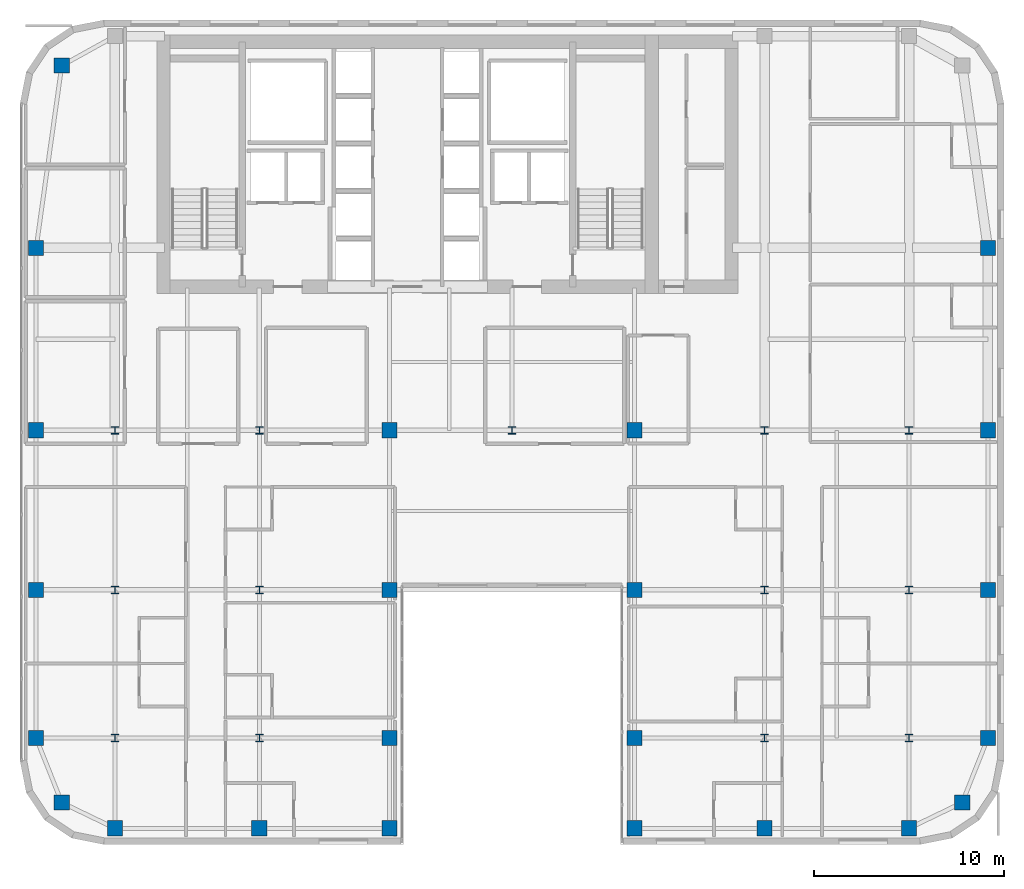
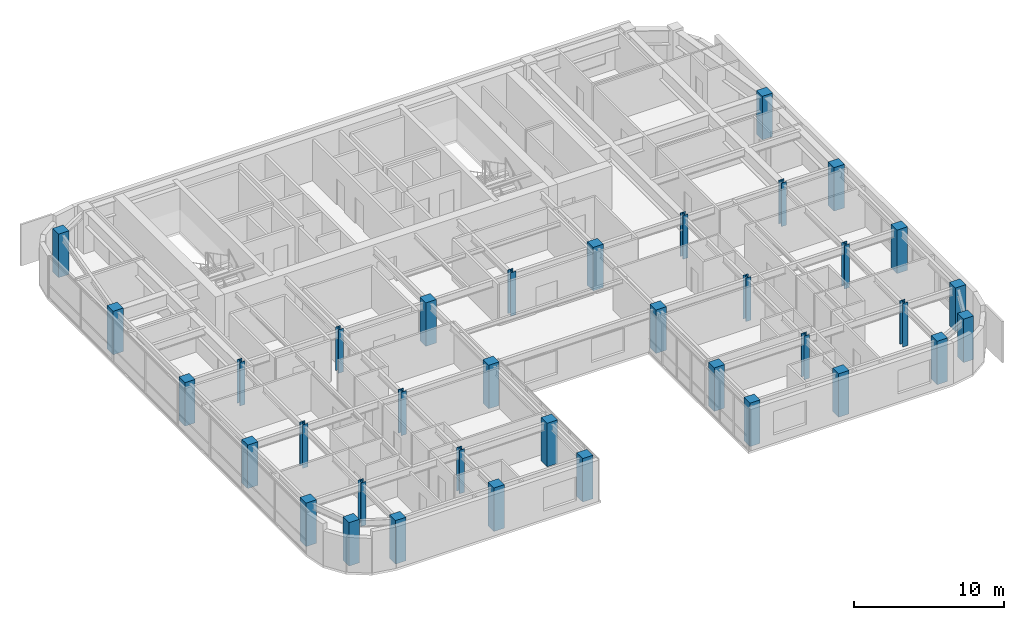
# One storey, part 1 of 24: 36 columns.
"""IFC4 building model written with IfcOpenShell, lengths in metres."""

import ifcopenshell
import ifcopenshell.guid

model = None  # the IFC model being written
_history = None  # IfcOwnerHistory: only IFC2X3 demands one
_inside = {}  # id of a spatial element -> (the spatial element, [elements in it])
_under = {}  # id of a project, library or spatial element -> (it, [spatial elements below it])
_declared = {}  # id of a project -> (the project, [libraries it declares])
_typed = {}  # id of a type object -> (the type object, [elements of that type])
_made_of = {}  # id of a material, layer set ... -> (it, [elements and type objects made of it])


def new_model(schema):
    """Start an empty IFC model of exactly this schema.

    Asked for "IFC4X3", IfcOpenShell would pick the latest addendum, in which some entities
    have other attributes; the version numbers below select the first issue.
    IFC2X3 requires an IfcOwnerHistory on every rooted entity: one is made here for all.
    """
    global model, _history
    if schema == "IFC4X3":
        model = ifcopenshell.file(schema_version=(4, 3, 0, 0))
    else:
        model = ifcopenshell.file(schema=schema)
    _inside.clear()
    _under.clear()
    _declared.clear()
    _typed.clear()
    _made_of.clear()
    _history = None
    if model.schema == "IFC2X3":
        org = make("IfcOrganization", Name="unknown")
        user = make(
            "IfcPersonAndOrganization",
            ThePerson=make("IfcPerson", FamilyName="unknown"),
            TheOrganization=org,
        )
        app = make(
            "IfcApplication",
            ApplicationDeveloper=org,
            Version="unknown",
            ApplicationFullName="unknown",
            ApplicationIdentifier="unknown",
        )
        _history = make(
            "IfcOwnerHistory",
            OwningUser=user,
            OwningApplication=app,
            ChangeAction="ADDED",
            CreationDate=0,
        )
    return model


def make(cls, **values):
    """One entity of the class cls with the attributes given. An attribute that is None is left unset."""
    return model.create_entity(
        cls, **{name: value for name, value in values.items() if value is not None}
    )


def rooted(cls, **values):
    """An entity with a GlobalId (a new one), such as an element, a storey or a relation."""
    return make(cls, GlobalId=ifcopenshell.guid.new(), OwnerHistory=_history, **values)


def si_unit(unit_type, name, prefix=None):
    """IfcSIUnit, for example si_unit("LENGTHUNIT", "METRE", prefix="MILLI")."""
    return make("IfcSIUnit", UnitType=unit_type, Prefix=prefix, Name=name)


def assignment(units):
    """IfcUnitAssignment: the units of a project."""
    return None if units is None else make("IfcUnitAssignment", Units=units)


def point(xyz):
    """IfcCartesianPoint."""
    return None if xyz is None else make("IfcCartesianPoint", Coordinates=xyz)


def direction(xyz):
    """IfcDirection."""
    return None if xyz is None else make("IfcDirection", DirectionRatios=xyz)


def frame(location, z_axis=None, x_axis=None):
    """IfcAxis2Placement3D, a coordinate frame: its origin and axes. An axis left out is left unset."""
    return make(
        "IfcAxis2Placement3D",
        Location=point(location),
        Axis=direction(z_axis),
        RefDirection=direction(x_axis),
    )


def frame_2d(location, x_axis=None):
    """IfcAxis2Placement2D, a coordinate frame in the plane: its origin and x axis."""
    return make(
        "IfcAxis2Placement2D", Location=point(location), RefDirection=direction(x_axis)
    )


def origin():
    """The frame at (0, 0, 0) with its axes left unset."""
    return frame((0.0, 0.0, 0.0))


def origin_2d():
    """The frame at (0, 0) in the plane with its x axis left unset."""
    return frame_2d((0.0, 0.0))


def place(relative_to, where):
    """IfcLocalPlacement: puts the frame where relative to a parent placement (None: the world)."""
    return make(
        "IfcLocalPlacement", PlacementRelTo=relative_to, RelativePlacement=where
    )


def context(
    kind, dimensions, precision=None, world=None, true_north=None, identifier=None
):
    """IfcGeometricRepresentationContext, for example the 3D "Model" context."""
    return make(
        "IfcGeometricRepresentationContext",
        ContextIdentifier=identifier,
        ContextType=kind,
        CoordinateSpaceDimension=dimensions,
        Precision=precision,
        WorldCoordinateSystem=world,
        TrueNorth=true_north,
    )


def subcontext(parent, identifier, kind, view, scale=None):
    """IfcGeometricRepresentationSubContext, for example "Body" below "Model"."""
    return make(
        "IfcGeometricRepresentationSubContext",
        ContextIdentifier=identifier,
        ContextType=kind,
        ParentContext=parent,
        TargetScale=scale,
        TargetView=view,
    )


def project(units=None, contexts=None):
    """IfcProject with its units and contexts."""
    return rooted(
        "IfcProject",
        Name="project",
        RepresentationContexts=contexts,
        UnitsInContext=assignment(units),
    )


def spatial(cls, under=None, at=None, **own):
    """A site, building, storey or space (cls), placed at a placement, below another one or the project."""
    s = rooted(cls, ObjectPlacement=at, **own)
    if under is not None:
        _under.setdefault(under.id(), (under, []))[1].append(s)
    return s


def profile(cls, at=None, kind="AREA", **sizes):
    """A parametric profile (cls). Its sizes go by their IFC names, for example OverallWidth=200.0."""
    return make(cls, ProfileType=kind, Position=at, **sizes)


def rectangle(**sizes):
    """IfcRectangleProfileDef."""
    return profile("IfcRectangleProfileDef", **sizes)


def i_section(**sizes):
    """IfcIShapeProfileDef."""
    return profile("IfcIShapeProfileDef", **sizes)


def extrude(swept, where, along, depth):
    """IfcExtrudedAreaSolid: the profile swept, set in the frame where, extruded along a direction by depth."""
    return make(
        "IfcExtrudedAreaSolid",
        SweptArea=swept,
        Position=where,
        ExtrudedDirection=direction(along),
        Depth=depth,
    )


def shape(context_of_items, identifier, shape_type, items):
    """IfcShapeRepresentation: the items that make up one representation, for example the "Body"."""
    return make(
        "IfcShapeRepresentation",
        ContextOfItems=context_of_items,
        RepresentationIdentifier=identifier,
        RepresentationType=shape_type,
        Items=items,
    )


def source(mapping_origin, context_of_items, identifier, shape_type, items):
    """IfcRepresentationMap: a shape defined once, which mapped items show again and again."""
    return make(
        "IfcRepresentationMap",
        MappingOrigin=mapping_origin,
        MappedRepresentation=shape(context_of_items, identifier, shape_type, items),
    )


def transform(
    local_origin,
    x_axis=None,
    y_axis=None,
    z_axis=None,
    scale=None,
    scale2=None,
    scale3=None,
    uniform=True,
):
    """IfcCartesianTransformationOperator3D, or its non-uniform kind. x_axis, y_axis, z_axis: its Axis1, 2, 3."""
    if uniform:
        return make(
            "IfcCartesianTransformationOperator3D",
            Axis1=direction(x_axis),
            Axis2=direction(y_axis),
            LocalOrigin=point(local_origin),
            Scale=scale,
            Axis3=direction(z_axis),
        )
    return make(
        "IfcCartesianTransformationOperator3DnonUniform",
        Axis1=direction(x_axis),
        Axis2=direction(y_axis),
        LocalOrigin=point(local_origin),
        Scale=scale,
        Axis3=direction(z_axis),
        Scale2=scale2,
        Scale3=scale3,
    )


def mapped(mapping_source, mapping_target):
    """IfcMappedItem: shows the shape of a source again, moved by a transform."""
    return make(
        "IfcMappedItem", MappingSource=mapping_source, MappingTarget=mapping_target
    )


def material(Name=None, Category=None):
    """IfcMaterial."""
    return make("IfcMaterial", Name=Name, Category=Category)


def material_profile(
    of_material, cross_section, Name=None, Category=None, Priority=None
):
    """IfcMaterialProfile: a cross section and its material."""
    return make(
        "IfcMaterialProfile",
        Name=Name,
        Material=of_material,
        Profile=cross_section,
        Priority=Priority,
        Category=Category,
    )


def profile_set(profiles, Name=None, composite=None):
    """IfcMaterialProfileSet."""
    return make(
        "IfcMaterialProfileSet",
        Name=Name,
        MaterialProfiles=profiles,
        CompositeProfile=composite,
    )


def made_of(thing, what):
    """Note that an element or type object is made of a material, layer set ...; save() writes the relation."""
    if what is not None:
        _made_of.setdefault(what.id(), (what, []))[1].append(thing)
    return thing


def type_object(cls, material=None, **own):
    """A type object (cls), such as IfcWallType, which elements share."""
    return made_of(rooted(cls, **own), material)


def type_shapes(of_type, sources):
    """Give a type object the sources (RepresentationMaps) that its elements show as mapped items."""
    of_type.RepresentationMaps = sources


def element(
    cls,
    number,
    at=None,
    inside=None,
    cuts=None,
    type_object=None,
    material=None,
    context=None,
    identifier="Body",
    shape_type=None,
    held_by="IfcProductDefinitionShape",
    body=None,
    shapes=None,
    **own,
):
    """One element of the class cls, such as IfcWall. Its Tag is "e" and its number.

    at: its placement. inside: the storey or other place that contains it. cuts: it is an
    opening in that element (IfcRelVoidsElement). A single representation is given by context,
    identifier, shape_type and body (its items); several are given by shapes. held_by: the class
    of the entity that holds the representations. save() writes the other relations.
    """
    e = rooted(cls, Tag="e%d" % number, ObjectPlacement=at, **own)
    if body is not None:
        shapes = [shape(context, identifier, shape_type, body)]
    if shapes is not None:
        e.Representation = make(held_by, Representations=shapes)
    if inside is not None:
        _inside.setdefault(inside.id(), (inside, []))[1].append(e)
    if cuts is not None:
        rooted(
            "IfcRelVoidsElement", RelatingBuildingElement=cuts, RelatedOpeningElement=e
        )
    if type_object is not None:
        _typed.setdefault(type_object.id(), (type_object, []))[1].append(e)
    return made_of(e, material)


def aggregate(whole, parts):
    """IfcRelAggregates: a whole, such as a stair, and the parts it consists of."""
    return rooted("IfcRelAggregates", RelatingObject=whole, RelatedObjects=parts)


def save(model, path):
    """Write the relations noted so far, then the file.

    IfcRelAggregates (storeys below a building ...), IfcRelContainedInSpatialStructure (elements
    in a storey), IfcRelDefinesByType, IfcRelAssociatesMaterial and IfcRelDeclares: one each for
    every whole, place, type object, material and project.
    """
    for whole, parts in _under.values():
        aggregate(whole, parts)
    for where, things in _inside.values():
        rooted(
            "IfcRelContainedInSpatialStructure",
            RelatedElements=things,
            RelatingStructure=where,
        )
    for kind, things in _typed.values():
        rooted("IfcRelDefinesByType", RelatedObjects=things, RelatingType=kind)
    for what, things in _made_of.values():
        rooted("IfcRelAssociatesMaterial", RelatedObjects=things, RelatingMaterial=what)
    for by, libraries in _declared.values():
        rooted("IfcRelDeclares", RelatingContext=by, RelatedDefinitions=libraries)
    model.write(path)


model = new_model("IFC4")

# Units and contexts
model_context = context("Model", 3, precision=1e-05, world=origin(), true_north=direction((0.0, 1.0)))
body_context = subcontext(model_context, "Body", "Model", "MODEL_VIEW")
ifc_project = project(units=[si_unit("LENGTHUNIT", "METRE"), si_unit("AREAUNIT", "SQUARE_METRE"), si_unit("VOLUMEUNIT", "CUBIC_METRE"), si_unit("PLANEANGLEUNIT", "RADIAN"), si_unit("MASSUNIT", "GRAM", prefix="KILO")], contexts=[model_context])

# Site, building, storey
site_placement = place(None, origin())
site = spatial("IfcSite", under=ifc_project, at=site_placement, CompositionType="ELEMENT")
building_placement = place(site_placement, origin())
building = spatial("IfcBuilding", under=site, at=building_placement, Name="Tolvann Quenvar Hotel", CompositionType="ELEMENT")
storey_placement = place(building_placement, frame((0.0, 0.0, 194.64990234375)))
storey = spatial("IfcBuildingStorey", under=building, at=storey_placement, Name="L51", CompositionType="ELEMENT", Elevation=194.64990234375)

# Columns
ifc_material_1 = material(Name="Concrete N50 (50 MPa)", Category="concrete")
ifc_material_profile_1 = material_profile(ifc_material_1, rectangle(XDim=0.800048828125, YDim=0.800048828125, at=origin_2d()), Name="RC800x800")
ifc_profile_set_1 = profile_set([ifc_material_profile_1], Name="Concrete N50 (50 MPa)")
column_type_1 = type_object("IfcColumnType", Name="COL_RC800", PredefinedType="COLUMN", material=ifc_profile_set_1)
shared_shape_1 = source(origin(), body_context, "Body", "SweptSolid", [
    extrude(rectangle(XDim=0.800048828125, YDim=0.800048828125, at=origin_2d()), origin(), (0.0, 0.0, 1.0), 3.550048828125),
])
type_shapes(column_type_1, [shared_shape_1])
for number, where, z_axis, x_axis, name in (
    (1, (4.800048828125, 4.800048828125, 0.0), (0.0, 0.0, 1.0), (1.0, 0.0, 0.0), "Column B2 (L51)"),
    (2, (3.449951171875, 8.199951171875, 0.0), (0.0, 0.0, 1.0), (1.0, 0.0, 0.0), "Column B3 (L51)"),
    (3, (3.449951171875, 16.0, 0.0), (0.0, 0.0, 1.0), (1.0, 0.0, 0.0), "Column B4 (L51)"),
    (4, (3.449951171875, 24.39990234375, 0.0), (0.0, 0.0, 1.0), (1.0, 0.0, 0.0), "Column B5 (L51)"),
    (5, (7.60009765625, 3.449951171875, 0.0), (0.0, 0.0, 1.0), (1.0, 0.0, 0.0), "Column C2 (L51)"),
    (6, (15.199951171875, 3.449951171875, 0.0), (0.0, 0.0, 1.0), (1.0, 0.0, 0.0), "Column D2 (L51)"),
    (7, (22.050048828125, 3.449951171875, 0.0), (0.0, 0.0, 1.0), (1.0, 0.0, 0.0), "Column E2 (L51)"),
    (8, (22.050048828125, 8.199951171875, 0.0), (0.0, 0.0, 1.0), (1.0, 0.0, 0.0), "Column E3 (L51)"),
    (9, (22.050048828125, 16.0, 0.0), (0.0, 0.0, 1.0), (1.0, 0.0, 0.0), "Column E4 (L51)"),
    (10, (22.050048828125, 24.39990234375, 0.0), (0.0, 0.0, 1.0), (1.0, 0.0, 0.0), "Column E5 (L51)"),
    (11, (34.949951171875, 3.449951171875, 0.0), (0.0, 0.0, 1.0), (1.0, 0.0, 0.0), "Column F2 (L51)"),
    (12, (34.949951171875, 8.199951171875, 0.0), (0.0, 0.0, 1.0), (1.0, 0.0, 0.0), "Column F3 (L51)"),
    (13, (34.949951171875, 16.0, 0.0), (0.0, 0.0, 1.0), (1.0, 0.0, 0.0), "Column F4 (L51)"),
    (14, (34.949951171875, 24.39990234375, 0.0), (0.0, 0.0, 1.0), (1.0, 0.0, 0.0), "Column F5 (L51)"),
    (15, (41.800048828125, 3.449951171875, 0.0), (0.0, 0.0, 1.0), (1.0, 0.0, 0.0), "Column H2 (L51)"),
    (16, (49.39990234375, 3.449951171875, 0.0), (0.0, 0.0, 1.0), (1.0, 0.0, 0.0), "Column I2 (L51)"),
    (17, (52.199951171875, 4.800048828125, 0.0), (0.0, 0.0, 1.0), (1.0, 0.0, 0.0), "Column J2 (L51)"),
    (18, (53.550048828125, 8.199951171875, 0.0), (0.0, 0.0, 1.0), (1.0, 0.0, 0.0), "Column J3 (L51)"),
    (19, (53.550048828125, 16.0, 0.0), (0.0, 0.0, 1.0), (1.0, 0.0, 0.0), "Column J4 (L51)"),
    (20, (53.550048828125, 24.39990234375, 0.0), (0.0, 0.0, 1.0), (1.0, 0.0, 0.0), "Column J5 (L51)"),
    (21, (4.800048828125, 43.60009765625, 0.0), (0.0, 0.0, 1.0), (1.0, 0.0, 0.0), "Column BN (L51)"),
    (22, (3.449951171875, 34.0, 0.0), (0.0, 0.0, 1.0), (1.0, 0.0, 0.0), "Column BD6 (L51)"),
    (23, (53.550048828125, 34.0, 0.0), (0.0, 0.0, 1.0), (1.0, 0.0, 0.0), "Column JD6 (L51)"),
):
    element("IfcColumn", number, at=place(storey_placement, frame(where, z_axis=z_axis, x_axis=x_axis)), inside=storey, type_object=column_type_1, Name=name, PredefinedType="COLUMN", context=body_context, shape_type="MappedRepresentation", body=[
        mapped(shared_shape_1, transform((0.0, 0.0, 0.0), x_axis=(1.0, 0.0, 0.0), y_axis=(0.0, 1.0, 0.0), z_axis=(0.0, 0.0, 1.0), scale=1.0)),
    ])
ifc_material_2 = material(Name="Steel Grade 350", Category="steel")
ifc_material_profile_2 = material_profile(ifc_material_2, i_section(OverallWidth=0.39990234375, OverallDepth=0.39990234375, WebThickness=0.02001953125, FlangeThickness=0.034912109375, at=origin_2d()), Name="400WC270")
ifc_profile_set_2 = profile_set([ifc_material_profile_2], Name="Steel Grade 350")
column_type_2 = type_object("IfcColumnType", Name="COL_400WC270", PredefinedType="COLUMN", material=ifc_profile_set_2)
shared_shape_2 = source(origin(), body_context, "Body", "SweptSolid", [
    extrude(i_section(OverallWidth=0.39990234375, OverallDepth=0.39990234375, WebThickness=0.02001953125, FlangeThickness=0.034912109375, at=origin_2d()), origin(), (0.0, 0.0, 1.0), 3.550048828125),
])
type_shapes(column_type_2, [shared_shape_2])
for number, where, z_axis, x_axis, name in (
    (24, (7.60009765625, 8.199951171875, 0.0), (0.0, 0.0, 1.0), (1.0, 0.0, 0.0), "Column C3 (L51)"),
    (25, (7.60009765625, 16.0, 0.0), (0.0, 0.0, 1.0), (1.0, 0.0, 0.0), "Column C4 (L51)"),
    (26, (7.60009765625, 24.39990234375, 0.0), (0.0, 0.0, 1.0), (1.0, 0.0, 0.0), "Column C5 (L51)"),
    (27, (15.199951171875, 8.199951171875, 0.0), (0.0, 0.0, 1.0), (1.0, 0.0, 0.0), "Column D3 (L51)"),
    (28, (15.199951171875, 16.0, 0.0), (0.0, 0.0, 1.0), (1.0, 0.0, 0.0), "Column D4 (L51)"),
    (29, (15.199951171875, 24.39990234375, 0.0), (0.0, 0.0, 1.0), (1.0, 0.0, 0.0), "Column D5 (L51)"),
    (30, (41.800048828125, 8.199951171875, 0.0), (0.0, 0.0, 1.0), (1.0, 0.0, 0.0), "Column H3 (L51)"),
    (31, (41.800048828125, 16.0, 0.0), (0.0, 0.0, 1.0), (1.0, 0.0, 0.0), "Column H4 (L51)"),
    (32, (41.800048828125, 24.39990234375, 0.0), (0.0, 0.0, 1.0), (1.0, 0.0, 0.0), "Column H5 (L51)"),
    (33, (49.39990234375, 8.199951171875, 0.0), (0.0, 0.0, 1.0), (1.0, 0.0, 0.0), "Column I3 (L51)"),
    (34, (49.39990234375, 16.0, 0.0), (0.0, 0.0, 1.0), (1.0, 0.0, 0.0), "Column I4 (L51)"),
    (35, (49.39990234375, 24.39990234375, 0.0), (0.0, 0.0, 1.0), (1.0, 0.0, 0.0), "Column I5 (L51)"),
    (36, (28.5, 24.39990234375, 0.0), (0.0, 0.0, 1.0), (1.0, 0.0, 0.0), "Column M5 (L51)"),
):
    element("IfcColumn", number, at=place(storey_placement, frame(where, z_axis=z_axis, x_axis=x_axis)), inside=storey, type_object=column_type_2, Name=name, PredefinedType="COLUMN", context=body_context, shape_type="MappedRepresentation", body=[
        mapped(shared_shape_2, transform((0.0, 0.0, 0.0), x_axis=(1.0, 0.0, 0.0), y_axis=(0.0, 1.0, 0.0), z_axis=(0.0, 0.0, 1.0), scale=1.0)),
    ])

save(model, "model.ifc")
